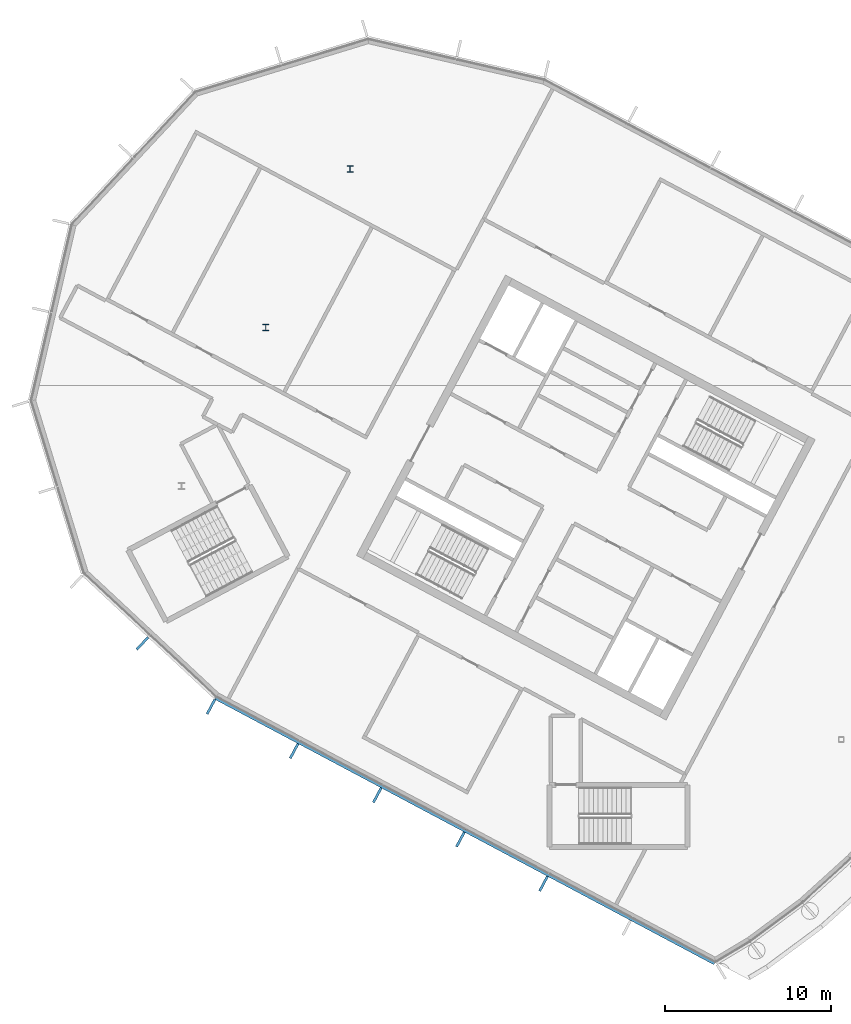
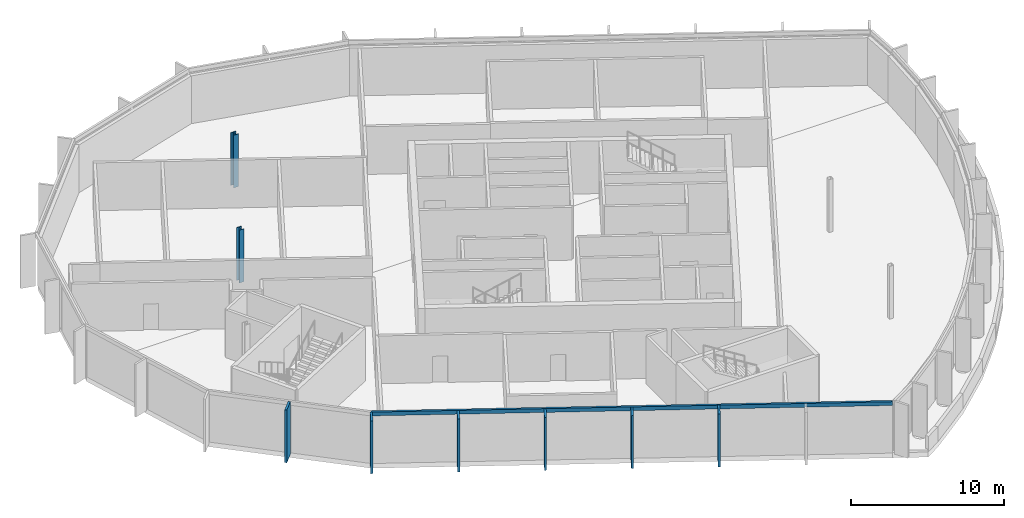
# One storey, part 3 of 16: 7 members, 2 columns, 2 elements without a shape of their own.
"""IFC4 building model written with IfcOpenShell, lengths in metres."""

from ifc_helpers import new_model, si_unit, direction, frame, origin, origin_2d, place, context, subcontext, project, spatial, rectangle, i_section, extrude, material, layer, layer_set, material_profile, profile_set, type_object, element, aggregate, save


model = new_model("IFC4")

# Units and contexts
model_context = context("Model", 3, precision=1e-05, world=origin(), true_north=direction((0.0, 1.0)))
body_context = subcontext(model_context, "Body", "Model", "MODEL_VIEW")
ifc_project = project(units=[si_unit("LENGTHUNIT", "METRE"), si_unit("AREAUNIT", "SQUARE_METRE"), si_unit("VOLUMEUNIT", "CUBIC_METRE"), si_unit("PLANEANGLEUNIT", "RADIAN"), si_unit("MASSUNIT", "GRAM", prefix="KILO")], contexts=[model_context])

# Site, building, storey
site_placement = place(None, origin())
site = spatial("IfcSite", under=ifc_project, at=site_placement, CompositionType="ELEMENT")
building_placement = place(site_placement, origin())
building = spatial("IfcBuilding", under=site, at=building_placement, Name="Cormorant Relay Tower", CompositionType="ELEMENT")
storey_placement = place(building_placement, frame((0.0, 0.0, 340.800048828125)))
storey = spatial("IfcBuildingStorey", under=building, at=storey_placement, Name="C4", CompositionType="ELEMENT", Elevation=340.800048828125)

# Columns
ifc_material_1 = material(Name="Steel ASTM A992 (Fy 345 MPa)", Category="steel")
ifc_material_profile_1 = material_profile(ifc_material_1, i_section(OverallWidth=0.373291015625, OverallDepth=0.373291015625, WebThickness=0.016357421875, FlangeThickness=0.026123046875, FilletRadius=0.01513671875, at=origin_2d()), Name="W360x196")
ifc_profile_set_1 = profile_set([ifc_material_profile_1], Name="Steel ASTM A992 (Fy 345 MPa)")
column_type = type_object("IfcColumnType", Name="Column W360x196", PredefinedType="COLUMN", material=ifc_profile_set_1)
for number, where, z_axis, x_axis, name in (
    (1, (-46.6201171875, 24.7880859375, 0.0), (0.0, 0.0, 1.0), (1.0, 0.0, 0.0), "Column C4-004"),
    (2, (-41.549072265625, 34.323974609375, 0.0), (0.0, 0.0, 1.0), (1.0, 0.0, 0.0), "Column C4-005"),
):
    element("IfcColumn", number, at=place(storey_placement, frame(where, z_axis=z_axis, x_axis=x_axis)), inside=storey, type_object=column_type, Name=name, PredefinedType="COLUMN", context=body_context, shape_type="SweptSolid", body=[
        extrude(i_section(OverallWidth=0.373291015625, OverallDepth=0.373291015625, WebThickness=0.016357421875, FlangeThickness=0.026123046875, FilletRadius=0.01513671875, at=origin_2d()), origin(), (0.0, 0.0, 1.0), 4.199951171875),
    ])

# Curtain wall, members
ifc_material_2 = material(Name="Aluminium 6063-T6 anodised bronze", Category="aluminium")
ifc_layer = layer(ifc_material_2, 0.199951171875)
ifc_layer_set = layer_set([ifc_layer], Name="CW3 crown screen wall")
curtain_wall_type = type_object("IfcCurtainWallType", Name="CW3 crown screen wall", PredefinedType="NOTDEFINED", material=ifc_layer_set)
curtain_wall_1_placement = place(storey_placement, origin())
curtain_wall_1 = element("IfcCurtainWall", 3, at=curtain_wall_1_placement, inside=storey, type_object=curtain_wall_type, Name="CW3 curtain wall 1", PredefinedType="NOTDEFINED")
ifc_material_3 = material(Name="Aluminium 6063-T6 anodised bronze", Category="aluminium")
ifc_material_profile_2 = material_profile(ifc_material_3, rectangle(XDim=0.14990234375, YDim=1.0, at=origin_2d()), Name="AL 150x1000")
ifc_profile_set_2 = profile_set([ifc_material_profile_2], Name="Aluminium 6063-T6 anodised bronze")
member_type_1 = type_object("IfcMemberType", Name="CW3 bronze fin mullion 150 x 1000", PredefinedType="MULLION", material=ifc_profile_set_2)
member_1_placement = place(storey_placement, frame((-49.920166015625, 1.96630859375, 0.0), z_axis=(0.0, 0.0, 1.0), x_axis=(0.882947592859, -0.469471562786, 0.0)))
member_1 = element("IfcMember", 4, at=member_1_placement, type_object=member_type_1, Name="CW3 fin 1.1", PredefinedType="MULLION", context=body_context, shape_type="SweptSolid", body=[
    extrude(rectangle(XDim=0.14990234375, YDim=1.0, at=origin_2d()), origin(), (0.0, 0.0, 1.0), 4.199951171875),
])
member_2_placement = place(storey_placement, frame((-44.918212890625, -0.693359375, 0.0), z_axis=(0.0, 0.0, 1.0), x_axis=(0.882947592859, -0.469471562786, 0.0)))
member_2 = element("IfcMember", 5, at=member_2_placement, type_object=member_type_1, Name="CW3 fin 1.2", PredefinedType="MULLION", context=body_context, shape_type="SweptSolid", body=[
    extrude(rectangle(XDim=0.14990234375, YDim=1.0, at=origin_2d()), origin(), (0.0, 0.0, 1.0), 4.199951171875),
])
member_3_placement = place(storey_placement, frame((-39.916259765625, -3.352783203125, 0.0), z_axis=(0.0, 0.0, 1.0), x_axis=(0.882947592859, -0.469471562786, 0.0)))
member_3 = element("IfcMember", 6, at=member_3_placement, type_object=member_type_1, Name="CW3 fin 1.3", PredefinedType="MULLION", context=body_context, shape_type="SweptSolid", body=[
    extrude(rectangle(XDim=0.14990234375, YDim=1.0, at=origin_2d()), origin(), (0.0, 0.0, 1.0), 4.199951171875),
])
member_4_placement = place(storey_placement, frame((-34.914306640625, -6.012451171875, 0.0), z_axis=(0.0, 0.0, 1.0), x_axis=(0.882947592859, -0.469471562786, 0.0)))
member_4 = element("IfcMember", 7, at=member_4_placement, type_object=member_type_1, Name="CW3 fin 1.4", PredefinedType="MULLION", context=body_context, shape_type="SweptSolid", body=[
    extrude(rectangle(XDim=0.14990234375, YDim=1.0, at=origin_2d()), origin(), (0.0, 0.0, 1.0), 4.199951171875),
])
member_5_placement = place(storey_placement, frame((-29.912353515625, -8.672119140625, 0.0), z_axis=(0.0, 0.0, 1.0), x_axis=(0.882947592859, -0.469471562786, 0.0)))
member_5 = element("IfcMember", 8, at=member_5_placement, type_object=member_type_1, Name="CW3 fin 1.5", PredefinedType="MULLION", context=body_context, shape_type="SweptSolid", body=[
    extrude(rectangle(XDim=0.14990234375, YDim=1.0, at=origin_2d()), origin(), (0.0, 0.0, 1.0), 4.199951171875),
])

# Curtain wall, member
curtain_wall_2_placement = place(storey_placement, origin())
curtain_wall_2 = element("IfcCurtainWall", 9, at=curtain_wall_2_placement, inside=storey, type_object=curtain_wall_type, Name="CW3 curtain wall 20", PredefinedType="NOTDEFINED")
member_6_placement = place(storey_placement, frame((-54.0439453125, 5.779296875, 0.0), z_axis=(0.0, 0.0, 1.0), x_axis=(0.731353701619, -0.681998360062, 0.0)))
member_6 = element("IfcMember", 10, at=member_6_placement, type_object=member_type_1, Name="CW3 fin 20.2", PredefinedType="MULLION", context=body_context, shape_type="SweptSolid", body=[
    extrude(rectangle(XDim=0.14990234375, YDim=1.0, at=origin_2d()), origin(), (0.0, 0.0, 1.0), 4.199951171875),
])
aggregate(curtain_wall_2, [member_6])

# Member
ifc_material_4 = material(Name="Aluminium 6063-T6 anodised bronze", Category="aluminium")
ifc_material_profile_3 = material_profile(ifc_material_4, rectangle(XDim=0.159912109375, YDim=0.300048828125, at=origin_2d()), Name="AL 160x300")
ifc_profile_set_3 = profile_set([ifc_material_profile_3], Name="Aluminium 6063-T6 anodised bronze")
member_type_2 = type_object("IfcMemberType", Name="CW3 bronze transom 160 x 300", PredefinedType="USERDEFINED", material=ifc_profile_set_3)
member_7_placement = place(storey_placement, frame((-49.64794921875, 2.478515625, 4.050048828125), z_axis=(0.882946130176, -0.469474313683, 0.0), x_axis=(0.469474313683, 0.882946130176, 0.0)))
member_7 = element("IfcMember", 11, at=member_7_placement, type_object=member_type_2, Name="CW3 transom 1", ObjectType="TRANSOM", PredefinedType="USERDEFINED", context=body_context, shape_type="SweptSolid", body=[
    extrude(rectangle(XDim=0.159912109375, YDim=0.300048828125, at=origin_2d()), origin(), (0.0, 0.0, 1.0), 33.99072265625),
])

aggregate(curtain_wall_1, [member_1, member_2, member_3, member_4, member_5, member_7])

save(model, "model.ifc")
